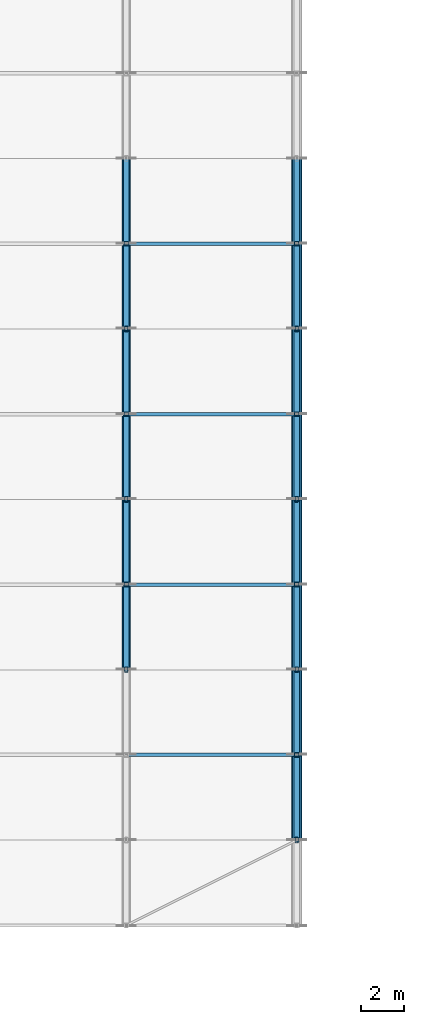
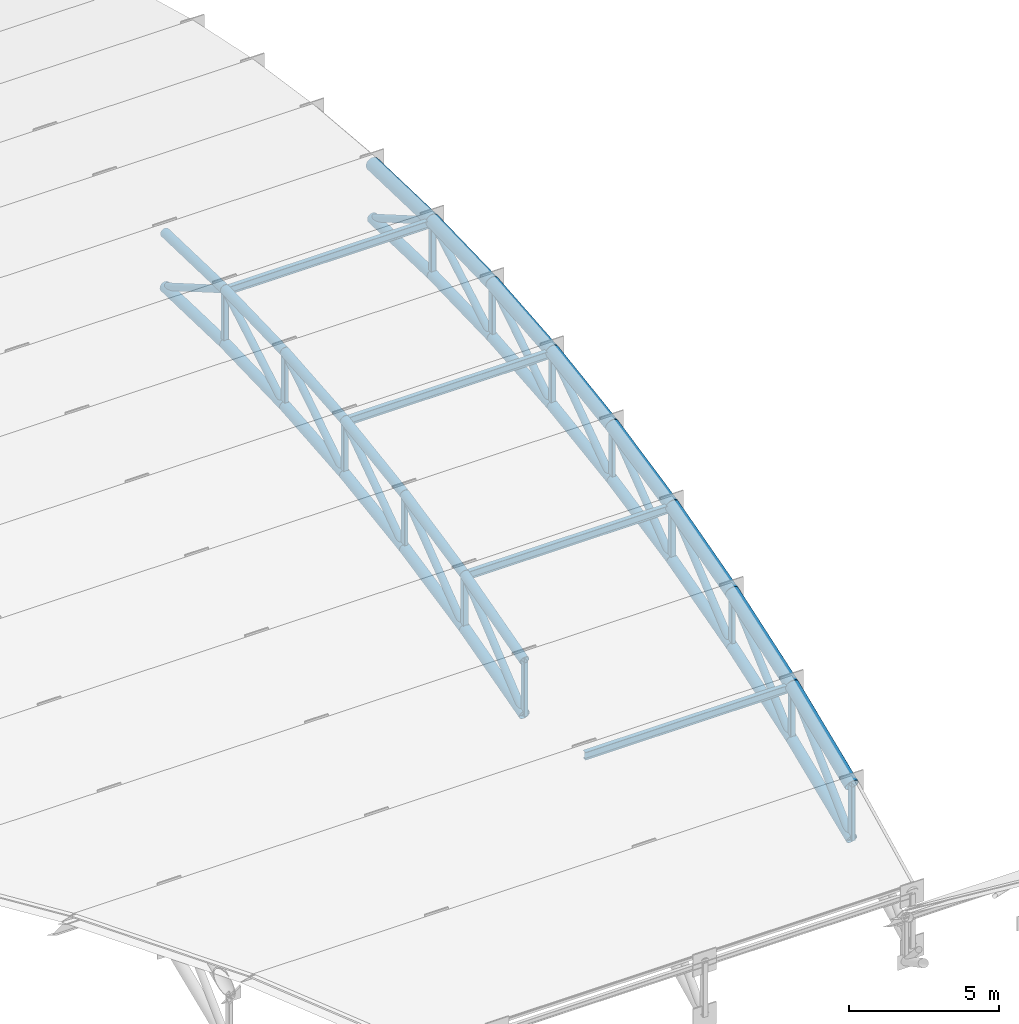
# One storey, part 50 of 98: 60 members.
"""IFC4 building model written with IfcOpenShell, lengths in metres."""

from ifc_helpers import new_model, si_unit, direction, frame, origin, origin_2d, place, context, subcontext, project, spatial, hollow_rectangle, hollow_circle, i_section, extrude, material, material_profile, profile_set, type_object, element, save


model = new_model("IFC4")

# Units and contexts
model_context = context("Model", 3, precision=1e-05, world=origin(), true_north=direction((0.0, 1.0)))
body_context = subcontext(model_context, "Body", "Model", "MODEL_VIEW")
ifc_project = project(units=[si_unit("LENGTHUNIT", "METRE"), si_unit("AREAUNIT", "SQUARE_METRE"), si_unit("VOLUMEUNIT", "CUBIC_METRE"), si_unit("PLANEANGLEUNIT", "RADIAN"), si_unit("MASSUNIT", "GRAM", prefix="KILO")], contexts=[model_context])

# Site, building, storey
site_placement = place(None, origin())
site = spatial("IfcSite", under=ifc_project, at=site_placement, CompositionType="ELEMENT")
building_placement = place(site_placement, origin())
building = spatial("IfcBuilding", under=site, at=building_placement, Name="Tlacozan Convention Centre", CompositionType="ELEMENT")
storey_placement = place(building_placement, frame((0.0, 0.0, 25.800048828125)))
storey = spatial("IfcBuildingStorey", under=building, at=storey_placement, Name="Roof", CompositionType="ELEMENT", Elevation=25.800048828125)

# Members
ifc_material_1 = material(Name="Steel ASTM A500 Grade C", Category="steel")
ifc_material_profile_1 = material_profile(ifc_material_1, hollow_circle(Radius=0.203125, WallThickness=0.015869140625, at=origin_2d()), Name="OC 406.4x15.9")
ifc_profile_set_1 = profile_set([ifc_material_profile_1], Name="Steel ASTM A500 Grade C")
member_type_1 = type_object("IfcMemberType", Name="Arch Bottom Chord OC 406.4x15.9", PredefinedType="CHORD", material=ifc_profile_set_1)
member_1_placement = place(storey_placement, frame((160.0, 74.0, -7.807861328125), z_axis=(0.0, 0.964289609145, 0.26485005134), x_axis=(-1.0, 0.0, 0.0)))
element("IfcMember", 1, at=member_1_placement, inside=storey, type_object=member_type_1, Name="V2A Roof Truss 21 Bottom Chord 4", PredefinedType="CHORD", context=body_context, shape_type="SweptSolid", body=[
    extrude(hollow_circle(Radius=0.203125, WallThickness=0.015869140625, at=origin_2d()), origin(), (0.0, 0.0, 1.0), 4.148193359375),
])
member_2_placement = place(storey_placement, frame((160.0, 78.0, -6.709228515625), z_axis=(0.0, 0.978552953366, 0.205995430674), x_axis=(-1.0, 0.0, 0.0)))
element("IfcMember", 2, at=member_2_placement, inside=storey, type_object=member_type_1, Name="V2A Roof Truss 21 Bottom Chord 5", PredefinedType="CHORD", context=body_context, shape_type="SweptSolid", body=[
    extrude(hollow_circle(Radius=0.203125, WallThickness=0.015869140625, at=origin_2d()), origin(), (0.0, 0.0, 1.0), 4.087646484375),
])
member_3_placement = place(storey_placement, frame((160.0, 82.0, -5.8671875), z_axis=(0.0, 0.98911804631, 0.147124064872), x_axis=(-1.0, 0.0, 0.0)))
element("IfcMember", 3, at=member_3_placement, inside=storey, type_object=member_type_1, Name="V2A Roof Truss 21 Bottom Chord 6", PredefinedType="CHORD", context=body_context, shape_type="SweptSolid", body=[
    extrude(hollow_circle(Radius=0.203125, WallThickness=0.015869140625, at=origin_2d()), origin(), (0.0, 0.0, 1.0), 4.0439453125),
])
member_4_placement = place(storey_placement, frame((160.0, 86.0, -5.272216796875), z_axis=(0.0, 0.996095959668, 0.088277058926), x_axis=(-1.0, 0.0, 0.0)))
element("IfcMember", 4, at=member_4_placement, inside=storey, type_object=member_type_1, Name="V2A Roof Truss 21 Bottom Chord 7", PredefinedType="CHORD", context=body_context, shape_type="SweptSolid", body=[
    extrude(hollow_circle(Radius=0.203125, WallThickness=0.015869140625, at=origin_2d()), origin(), (0.0, 0.0, 1.0), 4.015625),
])
for number, where, z_axis, x_axis, name in (
    (5, (160.0, 90.0, -4.917724609375), (0.0, 0.999567543518, 0.029406222899), (-1.0, 0.0, 0.0), "V2A Roof Truss 21 Bottom Chord 8"),
    (6, (160.0, 94.0, -4.800048828125), (0.0, 0.999567543518, -0.029406222899), (-1.0, 0.0, 0.0), "V2A Roof Truss 21 Bottom Chord 9"),
):
    element("IfcMember", number, at=place(storey_placement, frame(where, z_axis=z_axis, x_axis=x_axis)), inside=storey, type_object=member_type_1, Name=name, PredefinedType="CHORD", context=body_context, shape_type="SweptSolid", body=[
        extrude(hollow_circle(Radius=0.203125, WallThickness=0.015869140625, at=origin_2d()), origin(), (0.0, 0.0, 1.0), 4.001708984375),
    ])
member_5_placement = place(storey_placement, frame((168.0, 66.0, -10.832275390625), z_axis=(0.0, 0.923948802258, 0.382516157575), x_axis=(-1.0, 0.0, 0.0)))
element("IfcMember", 7, at=member_5_placement, inside=storey, type_object=member_type_1, Name="V2A Roof Truss 22 Bottom Chord 2", PredefinedType="CHORD", context=body_context, shape_type="SweptSolid", body=[
    extrude(hollow_circle(Radius=0.203125, WallThickness=0.015869140625, at=origin_2d()), origin(), (0.0, 0.0, 1.0), 4.329345703125),
])
member_6_placement = place(storey_placement, frame((168.0, 70.0, -9.17626953125), z_axis=(0.0, 0.946164915813, 0.323684958077), x_axis=(-1.0, 0.0, 0.0)))
element("IfcMember", 8, at=member_6_placement, inside=storey, type_object=member_type_1, Name="V2A Roof Truss 22 Bottom Chord 3", PredefinedType="CHORD", context=body_context, shape_type="SweptSolid", body=[
    extrude(hollow_circle(Radius=0.203125, WallThickness=0.015869140625, at=origin_2d()), origin(), (0.0, 0.0, 1.0), 4.2275390625),
])
member_7_placement = place(storey_placement, frame((168.0, 74.0, -7.807861328125), z_axis=(0.0, 0.964289609145, 0.26485005134), x_axis=(-1.0, 0.0, 0.0)))
element("IfcMember", 9, at=member_7_placement, inside=storey, type_object=member_type_1, Name="V2A Roof Truss 22 Bottom Chord 4", PredefinedType="CHORD", context=body_context, shape_type="SweptSolid", body=[
    extrude(hollow_circle(Radius=0.203125, WallThickness=0.015869140625, at=origin_2d()), origin(), (0.0, 0.0, 1.0), 4.148193359375),
])
member_8_placement = place(storey_placement, frame((168.0, 78.0, -6.709228515625), z_axis=(0.0, 0.978552953366, 0.205995430674), x_axis=(-1.0, 0.0, 0.0)))
element("IfcMember", 10, at=member_8_placement, inside=storey, type_object=member_type_1, Name="V2A Roof Truss 22 Bottom Chord 5", PredefinedType="CHORD", context=body_context, shape_type="SweptSolid", body=[
    extrude(hollow_circle(Radius=0.203125, WallThickness=0.015869140625, at=origin_2d()), origin(), (0.0, 0.0, 1.0), 4.087646484375),
])
member_9_placement = place(storey_placement, frame((168.0, 82.0, -5.8671875), z_axis=(0.0, 0.98911804631, 0.147124064872), x_axis=(-1.0, 0.0, 0.0)))
element("IfcMember", 11, at=member_9_placement, inside=storey, type_object=member_type_1, Name="V2A Roof Truss 22 Bottom Chord 6", PredefinedType="CHORD", context=body_context, shape_type="SweptSolid", body=[
    extrude(hollow_circle(Radius=0.203125, WallThickness=0.015869140625, at=origin_2d()), origin(), (0.0, 0.0, 1.0), 4.0439453125),
])
member_10_placement = place(storey_placement, frame((168.0, 86.0, -5.272216796875), z_axis=(0.0, 0.996095959668, 0.088277058926), x_axis=(-1.0, 0.0, 0.0)))
element("IfcMember", 12, at=member_10_placement, inside=storey, type_object=member_type_1, Name="V2A Roof Truss 22 Bottom Chord 7", PredefinedType="CHORD", context=body_context, shape_type="SweptSolid", body=[
    extrude(hollow_circle(Radius=0.203125, WallThickness=0.015869140625, at=origin_2d()), origin(), (0.0, 0.0, 1.0), 4.015625),
])
for number, where, z_axis, x_axis, name in (
    (13, (168.0, 90.0, -4.917724609375), (0.0, 0.999567543518, 0.029406222899), (-1.0, 0.0, 0.0), "V2A Roof Truss 22 Bottom Chord 8"),
    (14, (168.0, 94.0, -4.800048828125), (0.0, 0.999567543518, -0.029406222899), (-1.0, 0.0, 0.0), "V2A Roof Truss 22 Bottom Chord 9"),
):
    element("IfcMember", number, at=place(storey_placement, frame(where, z_axis=z_axis, x_axis=x_axis)), inside=storey, type_object=member_type_1, Name=name, PredefinedType="CHORD", context=body_context, shape_type="SweptSolid", body=[
        extrude(hollow_circle(Radius=0.203125, WallThickness=0.015869140625, at=origin_2d()), origin(), (0.0, 0.0, 1.0), 4.001708984375),
    ])
ifc_material_profile_2 = material_profile(ifc_material_1, hollow_circle(Radius=0.25390625, WallThickness=0.01904296875, at=origin_2d()), Name="OC 508.0x19.1")
ifc_profile_set_2 = profile_set([ifc_material_profile_2], Name="Steel ASTM A500 Grade C")
member_type_2 = type_object("IfcMemberType", Name="Arch Top Chord OC 508x19.1", PredefinedType="CHORD", material=ifc_profile_set_2)
member_11_placement = place(storey_placement, frame((168.0, 66.0, -8.63232421875), z_axis=(0.0, 0.923928870591, 0.382564297979), x_axis=(-1.0, 0.0, 0.0)))
element("IfcMember", 15, at=member_11_placement, inside=storey, type_object=member_type_2, Name="V2A Roof Truss 22 Top Chord 2", PredefinedType="CHORD", context=body_context, shape_type="SweptSolid", body=[
    extrude(hollow_circle(Radius=0.25390625, WallThickness=0.01904296875, at=origin_2d()), origin(), (0.0, 0.0, 1.0), 4.329345703125),
])
member_12_placement = place(storey_placement, frame((168.0, 70.0, -6.97607421875), z_axis=(0.0, 0.946164915813, 0.323684958077), x_axis=(-1.0, 0.0, 0.0)))
element("IfcMember", 16, at=member_12_placement, inside=storey, type_object=member_type_2, Name="V2A Roof Truss 22 Top Chord 3", PredefinedType="CHORD", context=body_context, shape_type="SweptSolid", body=[
    extrude(hollow_circle(Radius=0.25390625, WallThickness=0.01904296875, at=origin_2d()), origin(), (0.0, 0.0, 1.0), 4.2275390625),
])
member_13_placement = place(storey_placement, frame((168.0, 74.0, -5.607666015625), z_axis=(0.0, 0.964304639076, 0.264795322949), x_axis=(-1.0, 0.0, 0.0)))
element("IfcMember", 17, at=member_13_placement, inside=storey, type_object=member_type_2, Name="V2A Roof Truss 22 Top Chord 4", PredefinedType="CHORD", context=body_context, shape_type="SweptSolid", body=[
    extrude(hollow_circle(Radius=0.25390625, WallThickness=0.01904296875, at=origin_2d()), origin(), (0.0, 0.0, 1.0), 4.14794921875),
])
member_14_placement = place(storey_placement, frame((168.0, 78.0, -4.50927734375), z_axis=(0.0, 0.978552953366, 0.205995430674), x_axis=(-1.0, 0.0, 0.0)))
element("IfcMember", 18, at=member_14_placement, inside=storey, type_object=member_type_2, Name="V2A Roof Truss 22 Top Chord 5", PredefinedType="CHORD", context=body_context, shape_type="SweptSolid", body=[
    extrude(hollow_circle(Radius=0.25390625, WallThickness=0.01904296875, at=origin_2d()), origin(), (0.0, 0.0, 1.0), 4.087646484375),
])
member_15_placement = place(storey_placement, frame((168.0, 82.0, -3.667236328125), z_axis=(0.0, 0.98911804631, 0.147124064872), x_axis=(-1.0, 0.0, 0.0)))
element("IfcMember", 19, at=member_15_placement, inside=storey, type_object=member_type_2, Name="V2A Roof Truss 22 Top Chord 6", PredefinedType="CHORD", context=body_context, shape_type="SweptSolid", body=[
    extrude(hollow_circle(Radius=0.25390625, WallThickness=0.01904296875, at=origin_2d()), origin(), (0.0, 0.0, 1.0), 4.0439453125),
])
member_16_placement = place(storey_placement, frame((168.0, 86.0, -3.072265625), z_axis=(0.0, 0.996095959668, 0.088277058926), x_axis=(-1.0, 0.0, 0.0)))
element("IfcMember", 20, at=member_16_placement, inside=storey, type_object=member_type_2, Name="V2A Roof Truss 22 Top Chord 7", PredefinedType="CHORD", context=body_context, shape_type="SweptSolid", body=[
    extrude(hollow_circle(Radius=0.25390625, WallThickness=0.01904296875, at=origin_2d()), origin(), (0.0, 0.0, 1.0), 4.015625),
])
for number, where, z_axis, x_axis, name in (
    (21, (168.0, 90.0, -2.7177734375), (0.0, 0.999567543518, 0.029406222899), (-1.0, 0.0, 0.0), "V2A Roof Truss 22 Top Chord 8"),
    (22, (168.0, 94.0, -2.60009765625), (0.0, 0.999567543518, -0.029406222899), (-1.0, 0.0, 0.0), "V2A Roof Truss 22 Top Chord 9"),
):
    element("IfcMember", number, at=place(storey_placement, frame(where, z_axis=z_axis, x_axis=x_axis)), inside=storey, type_object=member_type_2, Name=name, PredefinedType="CHORD", context=body_context, shape_type="SweptSolid", body=[
        extrude(hollow_circle(Radius=0.25390625, WallThickness=0.01904296875, at=origin_2d()), origin(), (0.0, 0.0, 1.0), 4.001708984375),
    ])
ifc_material_profile_3 = material_profile(ifc_material_1, hollow_circle(Radius=0.136474609375, WallThickness=0.0126953125, at=origin_2d()), Name="OC 273.1x12.7")
ifc_profile_set_3 = profile_set([ifc_material_profile_3], Name="Steel ASTM A500 Grade C")
member_type_3 = type_object("IfcMemberType", Name="Arch Web Diagonal OC 273.1x12.7", PredefinedType="BRACE", material=ifc_profile_set_3)
member_17_placement = place(storey_placement, frame((160.0, 74.0, -7.807861328125), z_axis=(0.0, 0.771507331308, 0.63622043172), x_axis=(-1.0, 0.0, 0.0)))
element("IfcMember", 23, at=member_17_placement, inside=storey, type_object=member_type_3, Name="V2A Roof Truss 21 Web Diagonal 4", PredefinedType="BRACE", context=body_context, shape_type="SweptSolid", body=[
    extrude(hollow_circle(Radius=0.136474609375, WallThickness=0.0126953125, at=origin_2d()), origin(), (0.0, 0.0, 1.0), 5.1845703125),
])
member_18_placement = place(storey_placement, frame((160.0, 78.0, -6.709228515625), z_axis=(0.0, 0.795971176065, 0.605334524766), x_axis=(-1.0, 0.0, 0.0)))
element("IfcMember", 24, at=member_18_placement, inside=storey, type_object=member_type_3, Name="V2A Roof Truss 21 Web Diagonal 5", PredefinedType="BRACE", context=body_context, shape_type="SweptSolid", body=[
    extrude(hollow_circle(Radius=0.136474609375, WallThickness=0.0126953125, at=origin_2d()), origin(), (0.0, 0.0, 1.0), 5.025390625),
])
member_19_placement = place(storey_placement, frame((160.0, 82.0, -5.8671875), z_axis=(0.0, 0.819720523855, 0.572763705877), x_axis=(-1.0, 0.0, 0.0)))
element("IfcMember", 25, at=member_19_placement, inside=storey, type_object=member_type_3, Name="V2A Roof Truss 21 Web Diagonal 6", PredefinedType="BRACE", context=body_context, shape_type="SweptSolid", body=[
    extrude(hollow_circle(Radius=0.136474609375, WallThickness=0.0126953125, at=origin_2d()), origin(), (0.0, 0.0, 1.0), 4.879638671875),
])
member_20_placement = place(storey_placement, frame((160.0, 86.0, -5.272216796875), z_axis=(0.0, 0.842802563321, 0.538222852785), x_axis=(-1.0, 0.0, 0.0)))
element("IfcMember", 26, at=member_20_placement, inside=storey, type_object=member_type_3, Name="V2A Roof Truss 21 Web Diagonal 7", PredefinedType="BRACE", context=body_context, shape_type="SweptSolid", body=[
    extrude(hollow_circle(Radius=0.136474609375, WallThickness=0.0126953125, at=origin_2d()), origin(), (0.0, 0.0, 1.0), 4.74609375),
])
for number, where, z_axis, x_axis, name in (
    (27, (160.0, 90.0, -4.917724609375), (0.0, 0.865253886656, 0.501333932252), (-1.0, 0.0, 0.0), "V2A Roof Truss 21 Web Diagonal 8"),
    (28, (160.0, 94.0, -2.60009765625), (0.0, 0.865253886656, -0.501333932252), (-1.0, 0.0, 0.0), "V2A Roof Truss 21 Web Diagonal 9"),
):
    element("IfcMember", number, at=place(storey_placement, frame(where, z_axis=z_axis, x_axis=x_axis)), inside=storey, type_object=member_type_3, Name=name, PredefinedType="BRACE", context=body_context, shape_type="SweptSolid", body=[
        extrude(hollow_circle(Radius=0.136474609375, WallThickness=0.0126953125, at=origin_2d()), origin(), (0.0, 0.0, 1.0), 4.622802734375),
    ])
member_21_placement = place(storey_placement, frame((168.0, 66.0, -10.832275390625), z_axis=(0.0, 0.719928977367, 0.694047741547), x_axis=(-1.0, 0.0, 0.0)))
element("IfcMember", 29, at=member_21_placement, inside=storey, type_object=member_type_3, Name="V2A Roof Truss 22 Web Diagonal 2", PredefinedType="BRACE", context=body_context, shape_type="SweptSolid", body=[
    extrude(hollow_circle(Radius=0.136474609375, WallThickness=0.0126953125, at=origin_2d()), origin(), (0.0, 0.0, 1.0), 5.55615234375),
])
member_22_placement = place(storey_placement, frame((168.0, 70.0, -9.17626953125), z_axis=(0.0, 0.746199427712, 0.665722475272), x_axis=(-1.0, 0.0, 0.0)))
element("IfcMember", 30, at=member_22_placement, inside=storey, type_object=member_type_3, Name="V2A Roof Truss 22 Web Diagonal 3", PredefinedType="BRACE", context=body_context, shape_type="SweptSolid", body=[
    extrude(hollow_circle(Radius=0.136474609375, WallThickness=0.0126953125, at=origin_2d()), origin(), (0.0, 0.0, 1.0), 5.360595703125),
])
member_23_placement = place(storey_placement, frame((168.0, 74.0, -7.807861328125), z_axis=(0.0, 0.771507331308, 0.63622043172), x_axis=(-1.0, 0.0, 0.0)))
element("IfcMember", 31, at=member_23_placement, inside=storey, type_object=member_type_3, Name="V2A Roof Truss 22 Web Diagonal 4", PredefinedType="BRACE", context=body_context, shape_type="SweptSolid", body=[
    extrude(hollow_circle(Radius=0.136474609375, WallThickness=0.0126953125, at=origin_2d()), origin(), (0.0, 0.0, 1.0), 5.1845703125),
])
member_24_placement = place(storey_placement, frame((168.0, 78.0, -6.709228515625), z_axis=(0.0, 0.795971176065, 0.605334524766), x_axis=(-1.0, 0.0, 0.0)))
element("IfcMember", 32, at=member_24_placement, inside=storey, type_object=member_type_3, Name="V2A Roof Truss 22 Web Diagonal 5", PredefinedType="BRACE", context=body_context, shape_type="SweptSolid", body=[
    extrude(hollow_circle(Radius=0.136474609375, WallThickness=0.0126953125, at=origin_2d()), origin(), (0.0, 0.0, 1.0), 5.025390625),
])
member_25_placement = place(storey_placement, frame((168.0, 82.0, -5.8671875), z_axis=(0.0, 0.819720523855, 0.572763705877), x_axis=(-1.0, 0.0, 0.0)))
element("IfcMember", 33, at=member_25_placement, inside=storey, type_object=member_type_3, Name="V2A Roof Truss 22 Web Diagonal 6", PredefinedType="BRACE", context=body_context, shape_type="SweptSolid", body=[
    extrude(hollow_circle(Radius=0.136474609375, WallThickness=0.0126953125, at=origin_2d()), origin(), (0.0, 0.0, 1.0), 4.879638671875),
])
member_26_placement = place(storey_placement, frame((168.0, 86.0, -5.272216796875), z_axis=(0.0, 0.842802563321, 0.538222852785), x_axis=(-1.0, 0.0, 0.0)))
element("IfcMember", 34, at=member_26_placement, inside=storey, type_object=member_type_3, Name="V2A Roof Truss 22 Web Diagonal 7", PredefinedType="BRACE", context=body_context, shape_type="SweptSolid", body=[
    extrude(hollow_circle(Radius=0.136474609375, WallThickness=0.0126953125, at=origin_2d()), origin(), (0.0, 0.0, 1.0), 4.74609375),
])
for number, where, z_axis, x_axis, name in (
    (35, (168.0, 90.0, -4.917724609375), (0.0, 0.865253886656, 0.501333932252), (-1.0, 0.0, 0.0), "V2A Roof Truss 22 Web Diagonal 8"),
    (36, (168.0, 94.0, -2.60009765625), (0.0, 0.865253886656, -0.501333932252), (-1.0, 0.0, 0.0), "V2A Roof Truss 22 Web Diagonal 9"),
):
    element("IfcMember", number, at=place(storey_placement, frame(where, z_axis=z_axis, x_axis=x_axis)), inside=storey, type_object=member_type_3, Name=name, PredefinedType="BRACE", context=body_context, shape_type="SweptSolid", body=[
        extrude(hollow_circle(Radius=0.136474609375, WallThickness=0.0126953125, at=origin_2d()), origin(), (0.0, 0.0, 1.0), 4.622802734375),
    ])
ifc_material_profile_4 = material_profile(ifc_material_1, hollow_rectangle(XDim=0.203125, YDim=0.203125, WallThickness=0.0126953125, InnerFilletRadius=0.0126953125, OuterFilletRadius=0.02490234375, at=origin_2d()), Name="OR 203x203x12.7")
ifc_profile_set_4 = profile_set([ifc_material_profile_4], Name="Steel ASTM A500 Grade C")
member_type_4 = type_object("IfcMemberType", Name="Arch Web Strut OR 203x203x12.7", PredefinedType="STRUT", material=ifc_profile_set_4)
for number, where, z_axis, x_axis, name in (
    (37, (160.0, 78.0, -6.709228515625), (0.0, 0.0, 1.0), (1.0, 0.0, 0.0), "V2A Roof Truss 21 Vertical Strut 5"),
    (38, (160.0, 86.0, -5.272216796875), (0.0, 0.0, 1.0), (1.0, 0.0, 0.0), "V2A Roof Truss 21 Vertical Strut 7"),
    (39, (160.0, 94.0, -4.800048828125), (0.0, 0.0, 1.0), (1.0, 0.0, 0.0), "V2A Roof Truss 21 Vertical Strut 9"),
):
    element("IfcMember", number, at=place(storey_placement, frame(where, z_axis=z_axis, x_axis=x_axis)), inside=storey, type_object=member_type_4, Name=name, PredefinedType="STRUT", context=body_context, shape_type="SweptSolid", body=[
        extrude(hollow_rectangle(XDim=0.203125, YDim=0.203125, WallThickness=0.0126953125, InnerFilletRadius=0.0126953125, OuterFilletRadius=0.02490234375, at=origin_2d()), origin(), (0.0, 0.0, 1.0), 2.199951171875),
    ])
member_27_placement = place(storey_placement, frame((168.0, 70.0, -9.17626953125), z_axis=(0.0, 0.0, 1.0), x_axis=(1.0, 0.0, 0.0)))
element("IfcMember", 40, at=member_27_placement, inside=storey, type_object=member_type_4, Name="V2A Roof Truss 22 Vertical Strut 3", PredefinedType="STRUT", context=body_context, shape_type="SweptSolid", body=[
    extrude(hollow_rectangle(XDim=0.203125, YDim=0.203125, WallThickness=0.0126953125, InnerFilletRadius=0.0126953125, OuterFilletRadius=0.02490234375, at=origin_2d()), origin(), (0.0, 0.0, 1.0), 2.2001953125),
])
for number, where, z_axis, x_axis, name in (
    (41, (168.0, 78.0, -6.709228515625), (0.0, 0.0, 1.0), (1.0, 0.0, 0.0), "V2A Roof Truss 22 Vertical Strut 5"),
    (42, (168.0, 86.0, -5.272216796875), (0.0, 0.0, 1.0), (1.0, 0.0, 0.0), "V2A Roof Truss 22 Vertical Strut 7"),
    (43, (168.0, 94.0, -4.800048828125), (0.0, 0.0, 1.0), (1.0, 0.0, 0.0), "V2A Roof Truss 22 Vertical Strut 9"),
):
    element("IfcMember", number, at=place(storey_placement, frame(where, z_axis=z_axis, x_axis=x_axis)), inside=storey, type_object=member_type_4, Name=name, PredefinedType="STRUT", context=body_context, shape_type="SweptSolid", body=[
        extrude(hollow_rectangle(XDim=0.203125, YDim=0.203125, WallThickness=0.0126953125, InnerFilletRadius=0.0126953125, OuterFilletRadius=0.02490234375, at=origin_2d()), origin(), (0.0, 0.0, 1.0), 2.199951171875),
    ])
ifc_material_2 = material(Name="Steel ASTM A992 Grade 50", Category="steel")
ifc_material_profile_5 = material_profile(ifc_material_2, i_section(OverallWidth=0.1669921875, OverallDepth=0.31689453125, WebThickness=0.007568359375, FlangeThickness=0.01318359375, FilletRadius=0.010009765625, at=origin_2d()), Name="IR 305x52.2")
ifc_profile_set_5 = profile_set([ifc_material_profile_5], Name="Steel ASTM A992 Grade 50")
member_type_5 = type_object("IfcMemberType", Name="Roof Purlin IR 305x52.2", PredefinedType="PURLIN", material=ifc_profile_set_5)
for number, where, z_axis, x_axis, name in (
    (44, (160.0, 70.0, -7.041259765625), (1.0, 0.0, 0.0), (0.0, 1.0, 0.0), "V2A Roof Truss Purlin 21.3"),
    (45, (160.0, 78.0, -4.57421875), (1.0, 0.0, 0.0), (0.0, 1.0, 0.0), "V2A Roof Truss Purlin 21.5"),
    (46, (160.0, 86.0, -3.13720703125), (1.0, 0.0, 0.0), (0.0, 1.0, 0.0), "V2A Roof Truss Purlin 21.7"),
    (47, (160.0, 94.0, -2.6650390625), (1.0, 0.0, 0.0), (0.0, 1.0, 0.0), "V2A Roof Truss Purlin 21.9"),
):
    element("IfcMember", number, at=place(storey_placement, frame(where, z_axis=z_axis, x_axis=x_axis)), inside=storey, type_object=member_type_5, Name=name, PredefinedType="PURLIN", context=body_context, shape_type="SweptSolid", body=[
        extrude(i_section(OverallWidth=0.1669921875, OverallDepth=0.31689453125, WebThickness=0.007568359375, FlangeThickness=0.01318359375, FilletRadius=0.010009765625, at=origin_2d()), origin(), (0.0, 0.0, 1.0), 8.0),
    ])
ifc_material_profile_6 = material_profile(ifc_material_1, hollow_circle(Radius=0.177734375, WallThickness=0.015869140625, at=origin_2d()), Name="OC 355.6x15.9")
ifc_profile_set_6 = profile_set([ifc_material_profile_6], Name="Steel ASTM A500 Grade C")
member_type_6 = type_object("IfcMemberType", Name="Secondary Arch Chord OC 355.6x15.9", PredefinedType="CHORD", material=ifc_profile_set_6)
member_28_placement = place(storey_placement, frame((160.0, 74.0, -5.607666015625), z_axis=(0.0, 0.964304639076, 0.264795322949), x_axis=(-1.0, 0.0, 0.0)))
element("IfcMember", 48, at=member_28_placement, inside=storey, type_object=member_type_6, Name="V2A Roof Truss 21 Top Chord 4", PredefinedType="CHORD", context=body_context, shape_type="SweptSolid", body=[
    extrude(hollow_circle(Radius=0.177734375, WallThickness=0.015869140625, at=origin_2d()), origin(), (0.0, 0.0, 1.0), 4.14794921875),
])
member_29_placement = place(storey_placement, frame((160.0, 78.0, -4.50927734375), z_axis=(0.0, 0.978552953366, 0.205995430674), x_axis=(-1.0, 0.0, 0.0)))
element("IfcMember", 49, at=member_29_placement, inside=storey, type_object=member_type_6, Name="V2A Roof Truss 21 Top Chord 5", PredefinedType="CHORD", context=body_context, shape_type="SweptSolid", body=[
    extrude(hollow_circle(Radius=0.177734375, WallThickness=0.015869140625, at=origin_2d()), origin(), (0.0, 0.0, 1.0), 4.087646484375),
])
member_30_placement = place(storey_placement, frame((160.0, 82.0, -3.667236328125), z_axis=(0.0, 0.98911804631, 0.147124064872), x_axis=(-1.0, 0.0, 0.0)))
element("IfcMember", 50, at=member_30_placement, inside=storey, type_object=member_type_6, Name="V2A Roof Truss 21 Top Chord 6", PredefinedType="CHORD", context=body_context, shape_type="SweptSolid", body=[
    extrude(hollow_circle(Radius=0.177734375, WallThickness=0.015869140625, at=origin_2d()), origin(), (0.0, 0.0, 1.0), 4.0439453125),
])
member_31_placement = place(storey_placement, frame((160.0, 86.0, -3.072265625), z_axis=(0.0, 0.996095959668, 0.088277058926), x_axis=(-1.0, 0.0, 0.0)))
element("IfcMember", 51, at=member_31_placement, inside=storey, type_object=member_type_6, Name="V2A Roof Truss 21 Top Chord 7", PredefinedType="CHORD", context=body_context, shape_type="SweptSolid", body=[
    extrude(hollow_circle(Radius=0.177734375, WallThickness=0.015869140625, at=origin_2d()), origin(), (0.0, 0.0, 1.0), 4.015625),
])
for number, where, z_axis, x_axis, name in (
    (52, (160.0, 90.0, -2.7177734375), (0.0, 0.999567543518, 0.029406222899), (-1.0, 0.0, 0.0), "V2A Roof Truss 21 Top Chord 8"),
    (53, (160.0, 94.0, -2.60009765625), (0.0, 0.999567543518, -0.029406222899), (-1.0, 0.0, 0.0), "V2A Roof Truss 21 Top Chord 9"),
):
    element("IfcMember", number, at=place(storey_placement, frame(where, z_axis=z_axis, x_axis=x_axis)), inside=storey, type_object=member_type_6, Name=name, PredefinedType="CHORD", context=body_context, shape_type="SweptSolid", body=[
        extrude(hollow_circle(Radius=0.177734375, WallThickness=0.015869140625, at=origin_2d()), origin(), (0.0, 0.0, 1.0), 4.001708984375),
    ])
ifc_material_profile_7 = material_profile(ifc_material_1, hollow_rectangle(XDim=0.15234375, YDim=0.25390625, WallThickness=0.0126953125, InnerFilletRadius=0.0126953125, OuterFilletRadius=0.02490234375, at=origin_2d()), Name="OR 254x152x12.7")
ifc_profile_set_7 = profile_set([ifc_material_profile_7], Name="Steel ASTM A500 Grade C")
member_type_7 = type_object("IfcMemberType", Name="Truss Secondary Strut OR 254x152x12.7", PredefinedType="STRUT", material=ifc_profile_set_7)
member_32_placement = place(storey_placement, frame((160.0, 74.0, -7.807861328125), z_axis=(0.0, 0.0, 1.0), x_axis=(1.0, 0.0, 0.0)))
element("IfcMember", 54, at=member_32_placement, inside=storey, type_object=member_type_7, Name="V2A Roof Truss 21 Vertical Strut 4", PredefinedType="STRUT", context=body_context, shape_type="SweptSolid", body=[
    extrude(hollow_rectangle(XDim=0.15234375, YDim=0.25390625, WallThickness=0.0126953125, InnerFilletRadius=0.0126953125, OuterFilletRadius=0.02490234375, at=origin_2d()), origin(), (0.0, 0.0, 1.0), 2.2001953125),
])
for number, where, z_axis, x_axis, name in (
    (55, (160.0, 82.0, -5.8671875), (0.0, 0.0, 1.0), (1.0, 0.0, 0.0), "V2A Roof Truss 21 Vertical Strut 6"),
    (56, (160.0, 90.0, -4.917724609375), (0.0, 0.0, 1.0), (1.0, 0.0, 0.0), "V2A Roof Truss 21 Vertical Strut 8"),
    (57, (168.0, 66.0, -10.832275390625), (0.0, 0.0, 1.0), (1.0, 0.0, 0.0), "V2A Roof Truss 22 Vertical Strut 2"),
):
    element("IfcMember", number, at=place(storey_placement, frame(where, z_axis=z_axis, x_axis=x_axis)), inside=storey, type_object=member_type_7, Name=name, PredefinedType="STRUT", context=body_context, shape_type="SweptSolid", body=[
        extrude(hollow_rectangle(XDim=0.15234375, YDim=0.25390625, WallThickness=0.0126953125, InnerFilletRadius=0.0126953125, OuterFilletRadius=0.02490234375, at=origin_2d()), origin(), (0.0, 0.0, 1.0), 2.199951171875),
    ])
member_33_placement = place(storey_placement, frame((168.0, 74.0, -7.807861328125), z_axis=(0.0, 0.0, 1.0), x_axis=(1.0, 0.0, 0.0)))
element("IfcMember", 58, at=member_33_placement, inside=storey, type_object=member_type_7, Name="V2A Roof Truss 22 Vertical Strut 4", PredefinedType="STRUT", context=body_context, shape_type="SweptSolid", body=[
    extrude(hollow_rectangle(XDim=0.15234375, YDim=0.25390625, WallThickness=0.0126953125, InnerFilletRadius=0.0126953125, OuterFilletRadius=0.02490234375, at=origin_2d()), origin(), (0.0, 0.0, 1.0), 2.2001953125),
])
for number, where, z_axis, x_axis, name in (
    (59, (168.0, 82.0, -5.8671875), (0.0, 0.0, 1.0), (1.0, 0.0, 0.0), "V2A Roof Truss 22 Vertical Strut 6"),
    (60, (168.0, 90.0, -4.917724609375), (0.0, 0.0, 1.0), (1.0, 0.0, 0.0), "V2A Roof Truss 22 Vertical Strut 8"),
):
    element("IfcMember", number, at=place(storey_placement, frame(where, z_axis=z_axis, x_axis=x_axis)), inside=storey, type_object=member_type_7, Name=name, PredefinedType="STRUT", context=body_context, shape_type="SweptSolid", body=[
        extrude(hollow_rectangle(XDim=0.15234375, YDim=0.25390625, WallThickness=0.0126953125, InnerFilletRadius=0.0126953125, OuterFilletRadius=0.02490234375, at=origin_2d()), origin(), (0.0, 0.0, 1.0), 2.199951171875),
    ])

save(model, "model.ifc")
